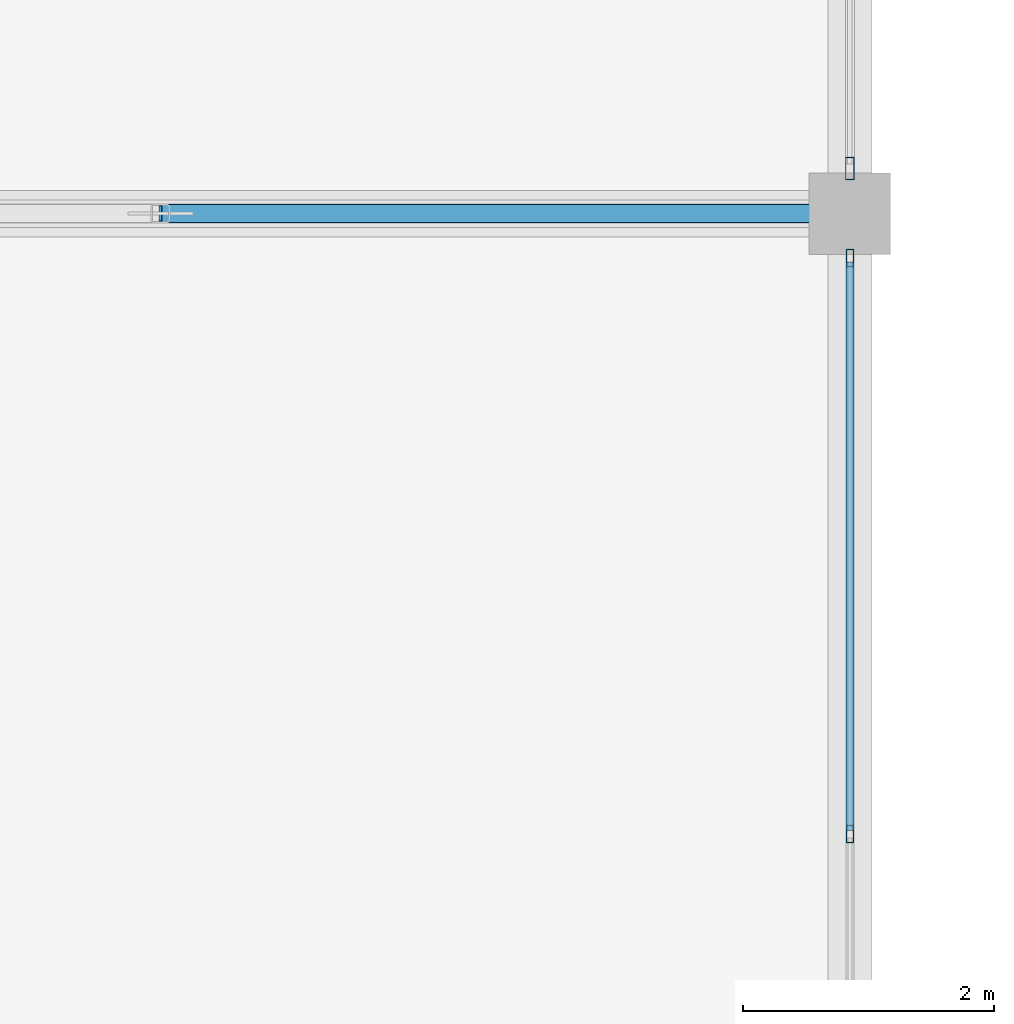
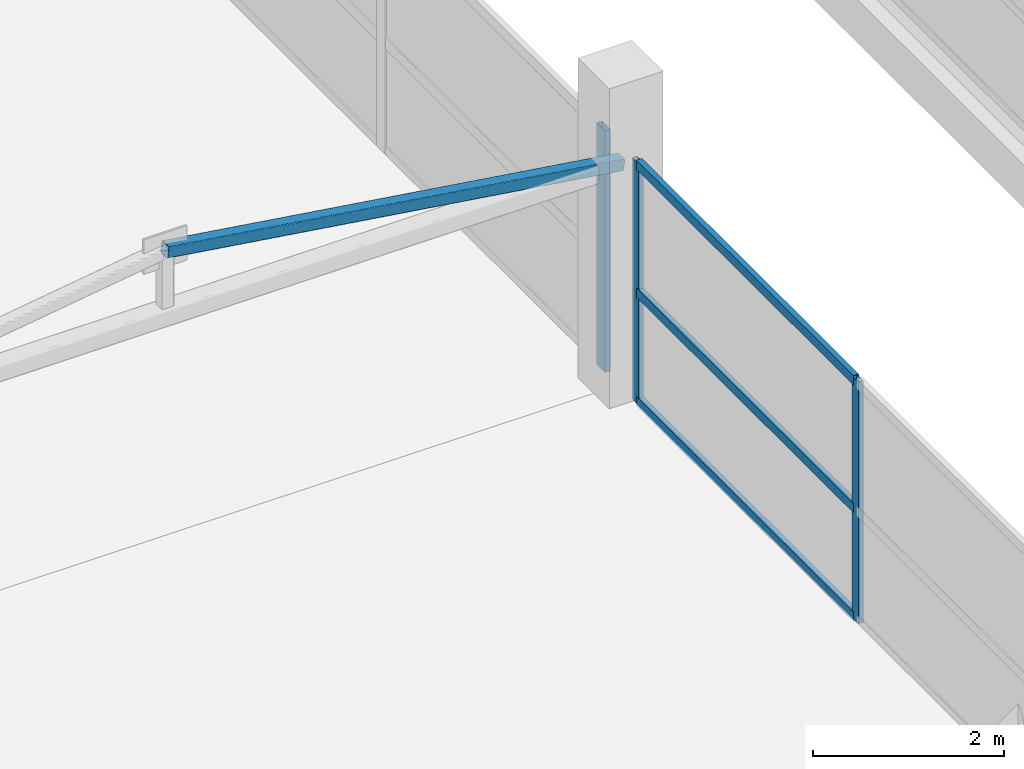
# One storey, part 22 of 53: 7 members, 2 elements without a shape of their own.
"""IFC4 building model written with IfcOpenShell, lengths in metres."""

from ifc_helpers import new_model, si_unit, direction, frame, origin, origin_2d, place, context, subcontext, project, spatial, hollow_rectangle, extrude, material, layer, layer_set, material_profile, profile_set, type_object, element, aggregate, save


model = new_model("IFC4")

# Units and contexts
model_context = context("Model", 3, precision=1e-05, world=origin(), true_north=direction((0.0, 1.0)))
body_context = subcontext(model_context, "Body", "Model", "MODEL_VIEW")
ifc_project = project(units=[si_unit("LENGTHUNIT", "METRE"), si_unit("AREAUNIT", "SQUARE_METRE"), si_unit("VOLUMEUNIT", "CUBIC_METRE"), si_unit("PLANEANGLEUNIT", "RADIAN"), si_unit("MASSUNIT", "GRAM", prefix="KILO")], contexts=[model_context])

# Site, building, storey
site_placement = place(None, origin())
site = spatial("IfcSite", under=ifc_project, at=site_placement, CompositionType="ELEMENT")
building_placement = place(site_placement, origin())
building = spatial("IfcBuilding", under=site, at=building_placement, Name="Sillaruma Civic Art Gallery", CompositionType="ELEMENT")
storey_placement = place(building_placement, frame((0.0, 0.0, 70.3798828125)))
storey = spatial("IfcBuildingStorey", under=building, at=storey_placement, Name="L14", CompositionType="ELEMENT", Elevation=70.3798828125)

# Member
ifc_material_1 = material(Name="Structural Steel ASTM A500 Gr.C", Category="steel")
ifc_material_profile_1 = material_profile(ifc_material_1, hollow_rectangle(XDim=0.14990234375, YDim=0.14990234375, WallThickness=0.010009765625, InnerFilletRadius=0.010009765625, OuterFilletRadius=0.02001953125, at=origin_2d()), Name="HSS150x150x10")
ifc_profile_set_1 = profile_set([ifc_material_profile_1], Name="Structural Steel ASTM A500 Gr.C")
member_type_1 = type_object("IfcMemberType", Name="MEM-BRACE-HSS150x150x10", PredefinedType="BRACE", material=ifc_profile_set_1)
member_1_placement = place(storey_placement, frame((86.5, 59.39990234375, 3.648193359375), z_axis=(0.989377720719, 0.0, -0.145367553959), x_axis=(0.0, 1.0, 0.0)))
element("IfcMember", 1, at=member_1_placement, inside=storey, type_object=member_type_1, Name="Warren Truss Diagonal TR-L14-2-D4", PredefinedType="BRACE", context=body_context, shape_type="SweptSolid", body=[
    extrude(hollow_rectangle(XDim=0.14990234375, YDim=0.14990234375, WallThickness=0.010009765625, InnerFilletRadius=0.010009765625, OuterFilletRadius=0.02001953125, at=origin_2d()), origin(), (0.0, 0.0, 1.0), 5.55908203125),
])

# Curtain wall, members
ifc_material_2 = material(Name="Thermally Broken Extruded Aluminium 6063-T6", Category="aluminium")
ifc_layer_1 = layer(ifc_material_2, 0.139892578125, Name="Thermally Broken Extruded Aluminium 6063-T6")
ifc_layer_set_1 = layer_set([ifc_layer_1], Name="Thermally Broken Extruded Aluminium 6063-T6")
curtain_wall_type_1 = type_object("IfcCurtainWallType", Name="CW-UNI-105", PredefinedType="NOTDEFINED", material=ifc_layer_set_1)
curtain_wall_1_placement = place(storey_placement, origin())
curtain_wall_1 = element("IfcCurtainWall", 2, at=curtain_wall_1_placement, inside=storey, type_object=curtain_wall_type_1, Name="Unitised Curtain Wall CW-105 (CW-L14-WBE-4)", PredefinedType="NOTDEFINED")
ifc_material_profile_2 = material_profile(ifc_material_2, hollow_rectangle(XDim=0.06005859375, YDim=0.139892578125, WallThickness=0.00341796875, at=origin_2d()), Name="CWM60x140")
ifc_profile_set_2 = profile_set([ifc_material_profile_2], Name="Thermally Broken Extruded Aluminium 6063-T6")
member_type_2 = type_object("IfcMemberType", Name="MEM-MUL-CWM60x140", PredefinedType="MULLION", material=ifc_profile_set_2)
member_2_placement = place(storey_placement, frame((92.0, 54.449951171875, 0.0), z_axis=(0.0, 0.0, 1.0), x_axis=(-1.0, 0.0, 0.0)))
member_2 = element("IfcMember", 3, at=member_2_placement, type_object=member_type_2, Name="CW-105 mullion 2", PredefinedType="MULLION", context=body_context, shape_type="SweptSolid", body=[
    extrude(hollow_rectangle(XDim=0.06005859375, YDim=0.139892578125, WallThickness=0.00341796875, at=origin_2d()), origin(), (0.0, 0.0, 1.0), 3.080078125),
])
member_3_placement = place(storey_placement, frame((92.0, 59.044921875, 0.0), z_axis=(0.0, 0.0, 1.0), x_axis=(-1.0, 0.0, 0.0)))
member_3 = element("IfcMember", 4, at=member_3_placement, type_object=member_type_2, Name="CW-105 mullion 3", PredefinedType="MULLION", context=body_context, shape_type="SweptSolid", body=[
    extrude(hollow_rectangle(XDim=0.06005859375, YDim=0.139892578125, WallThickness=0.00341796875, at=origin_2d()), origin(), (0.0, 0.0, 1.0), 3.080078125),
])

# Curtain wall, member
ifc_layer_2 = layer(ifc_material_2, 0.179931640625, Name="Thermally Broken Extruded Aluminium 6063-T6")
ifc_layer_set_2 = layer_set([ifc_layer_2], Name="Thermally Broken Extruded Aluminium 6063-T6")
curtain_wall_type_2 = type_object("IfcCurtainWallType", Name="CW-UNI-90", PredefinedType="NOTDEFINED", material=ifc_layer_set_2)
curtain_wall_2_placement = place(storey_placement, origin())
curtain_wall_2 = element("IfcCurtainWall", 5, at=curtain_wall_2_placement, inside=storey, type_object=curtain_wall_type_2, Name="Unitised Curtain Wall CW-90 (CW-L14-WBE-5)", PredefinedType="NOTDEFINED")
ifc_material_profile_3 = material_profile(ifc_material_2, hollow_rectangle(XDim=0.070068359375, YDim=0.179931640625, WallThickness=0.00390625, at=origin_2d()), Name="CWM70x180")
ifc_profile_set_3 = profile_set([ifc_material_profile_3], Name="Thermally Broken Extruded Aluminium 6063-T6")
member_type_3 = type_object("IfcMemberType", Name="MEM-MUL-CWM70x180", PredefinedType="MULLION", material=ifc_profile_set_3)
member_4_placement = place(storey_placement, frame((92.0, 59.760009765625, 0.0), z_axis=(0.0, 0.0, 1.0), x_axis=(-1.0, 0.0, 0.0)))
member_4 = element("IfcMember", 6, at=member_4_placement, type_object=member_type_3, Name="CW-90 mullion 1", PredefinedType="MULLION", context=body_context, shape_type="SweptSolid", body=[
    extrude(hollow_rectangle(XDim=0.070068359375, YDim=0.179931640625, WallThickness=0.00390625, at=origin_2d()), origin(), (0.0, 0.0, 1.0), 3.080078125),
])
aggregate(curtain_wall_2, [member_4])

# Member
ifc_material_profile_4 = material_profile(ifc_material_2, hollow_rectangle(XDim=0.06494140625, YDim=0.1201171875, WallThickness=0.00341796875, at=origin_2d()), Name="CWT65x120")
ifc_profile_set_4 = profile_set([ifc_material_profile_4], Name="Thermally Broken Extruded Aluminium 6063-T6")
member_type_4 = type_object("IfcMemberType", Name="MEM-TRN-CWT65x120", PredefinedType="USERDEFINED", material=ifc_profile_set_4)
member_5_placement = place(storey_placement, frame((92.0, 54.47998046875, 0.03271484375), z_axis=(0.0, 1.0, 0.0), x_axis=(-1.0, 0.0, 0.0)))
member_5 = element("IfcMember", 7, at=member_5_placement, type_object=member_type_4, Name="CW-105 transom 2.1", ObjectType="TRANSOM", PredefinedType="USERDEFINED", context=body_context, shape_type="SweptSolid", body=[
    extrude(hollow_rectangle(XDim=0.06494140625, YDim=0.1201171875, WallThickness=0.00341796875, at=origin_2d()), origin(), (0.0, 0.0, 1.0), 4.534912109375),
])

member_6_placement = place(storey_placement, frame((92.0, 54.47998046875, 1.4169921875), z_axis=(0.0, 1.0, 0.0), x_axis=(-1.0, 0.0, 0.0)))
member_6 = element("IfcMember", 8, at=member_6_placement, type_object=member_type_4, Name="CW-105 transom 2.2", ObjectType="TRANSOM", PredefinedType="USERDEFINED", context=body_context, shape_type="SweptSolid", body=[
    extrude(hollow_rectangle(XDim=0.06494140625, YDim=0.1201171875, WallThickness=0.00341796875, at=origin_2d()), origin(), (0.0, 0.0, 1.0), 4.534912109375),
])

member_7_placement = place(storey_placement, frame((92.0, 54.47998046875, 3.047607421875), z_axis=(0.0, 1.0, 0.0), x_axis=(-1.0, 0.0, 0.0)))
member_7 = element("IfcMember", 9, at=member_7_placement, type_object=member_type_4, Name="CW-105 transom 2.3", ObjectType="TRANSOM", PredefinedType="USERDEFINED", context=body_context, shape_type="SweptSolid", body=[
    extrude(hollow_rectangle(XDim=0.06494140625, YDim=0.1201171875, WallThickness=0.00341796875, at=origin_2d()), origin(), (0.0, 0.0, 1.0), 4.534912109375),
])

aggregate(curtain_wall_1, [member_2, member_3, member_5, member_6, member_7])

save(model, "model.ifc")
